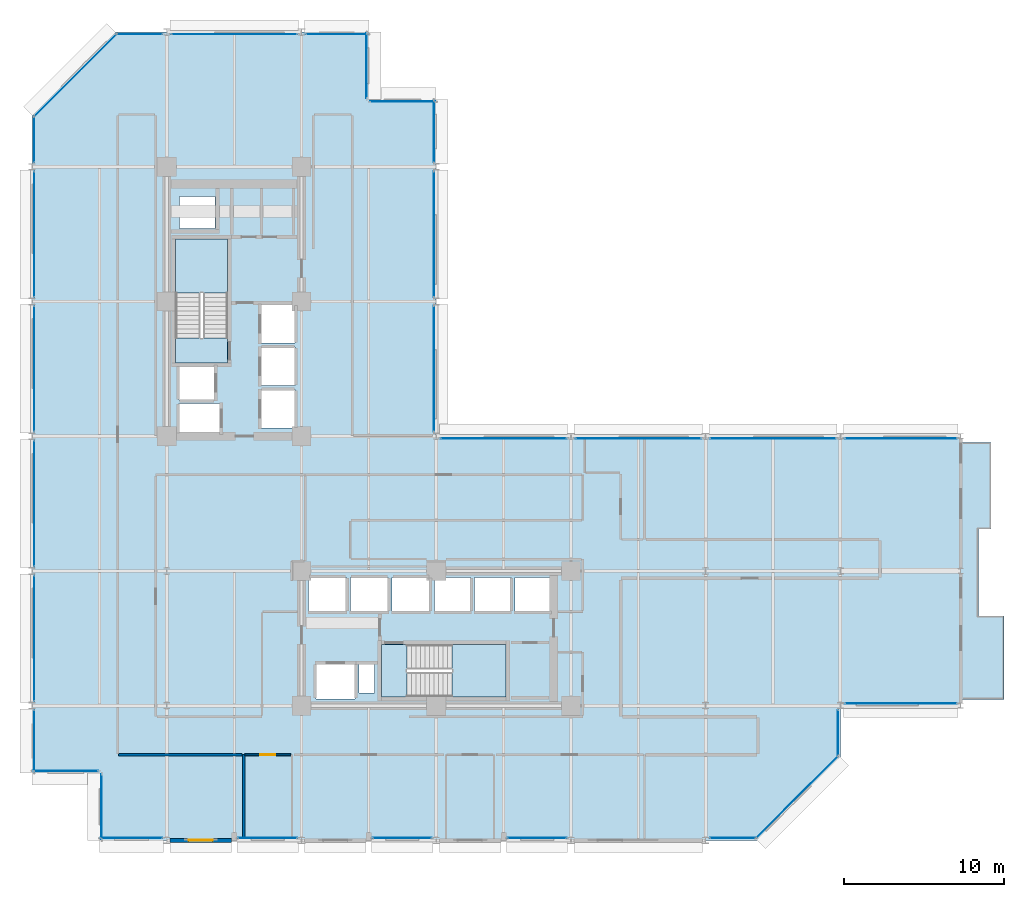
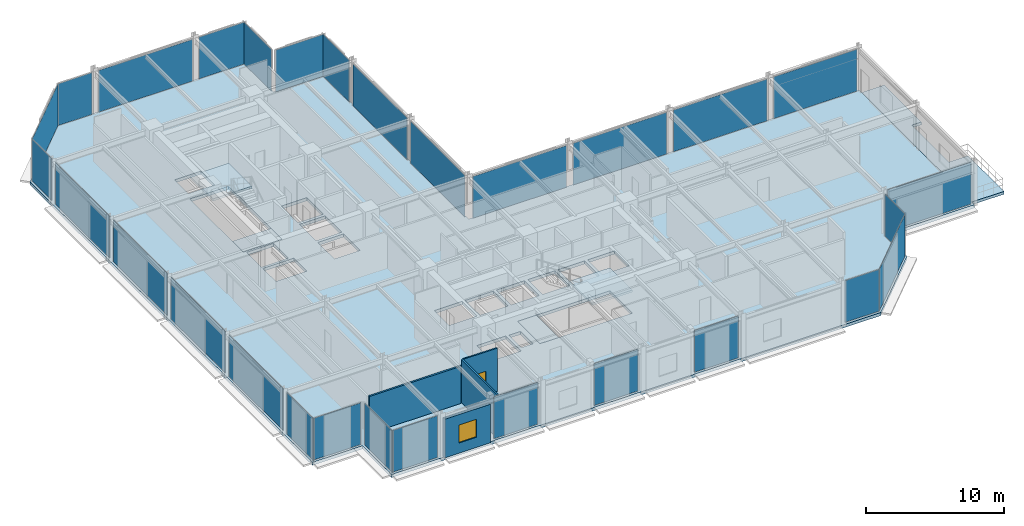
# One storey, part 31 of 39: 29 plates, 6 slabs, 4 walls, 1 door, 1 window, 2 openings, 31 elements without a shape of their own.
"""IFC4 building model written with IfcOpenShell, lengths in metres."""

from ifc_helpers import new_model, si_unit, direction, frame, frame_2d, origin, origin_2d, place, context, subcontext, project, spatial, polyline, rectangle, outline, extrude, material, layer, layer_set, type_object, element, fill, aggregate, save


model = new_model("IFC4")

# Units and contexts
model_context = context("Model", 3, precision=1e-05, world=origin(), true_north=direction((0.0, 1.0)))
body_context = subcontext(model_context, "Body", "Model", "MODEL_VIEW")
ifc_project = project(units=[si_unit("LENGTHUNIT", "METRE"), si_unit("AREAUNIT", "SQUARE_METRE"), si_unit("VOLUMEUNIT", "CUBIC_METRE"), si_unit("PLANEANGLEUNIT", "RADIAN"), si_unit("MASSUNIT", "GRAM", prefix="KILO")], contexts=[model_context])

# Site, building, storey
site_placement = place(None, origin())
site = spatial("IfcSite", under=ifc_project, at=site_placement, CompositionType="ELEMENT")
building_placement = place(site_placement, origin())
building = spatial("IfcBuilding", under=site, at=building_placement, Name="Nerrivon Quay Data Exchange", CompositionType="ELEMENT")
storey_placement = place(building_placement, frame((0.0, 0.0, 92.60009765625)))
storey = spatial("IfcBuildingStorey", under=building, at=storey_placement, Name="L21", CompositionType="ELEMENT", Elevation=92.60009765625)

# Curtain wall, plate
ifc_material_1 = material(Name="Anodised aluminium 6063-T6", Category="aluminium")
ifc_layer_1 = layer(ifc_material_1, 0.199951171875)
ifc_layer_set_1 = layer_set([ifc_layer_1], Name="Anodised aluminium 6063-T6")
curtain_wall_type_1 = type_object("IfcCurtainWallType", Name="CW-SYS-04", PredefinedType="NOTDEFINED", material=ifc_layer_set_1)
curtain_wall_1_placement = place(storey_placement, origin())
curtain_wall_1 = element("IfcCurtainWall", 1, at=curtain_wall_1_placement, inside=storey, type_object=curtain_wall_type_1, Name="L21 Unitised Curtain Wall 3", PredefinedType="NOTDEFINED")
ifc_material_2 = material(Name="Double-glazed low-E solar control glass", Category="glass")
ifc_layer_2 = layer(ifc_material_2, 0.028076171875)
ifc_layer_set_2 = layer_set([ifc_layer_2], Name="Double-glazed low-E solar control glass")
plate_type = type_object("IfcPlateType", Name="CWP-GLZ-28", PredefinedType="CURTAIN_PANEL", material=ifc_layer_set_2)
plate_1_placement = place(storey_placement, frame((54.17236328125, 8.5400390625, 0.06494140625), z_axis=(0.0, 0.0, 1.0), x_axis=(-1.0, 0.0, 0.0)))
plate_1 = element("IfcPlate", 2, at=plate_1_placement, type_object=plate_type, Name="CW04 panel 1.1", PredefinedType="CURTAIN_PANEL", context=body_context, shape_type="SweptSolid", body=[
    extrude(rectangle(XDim=6.994384765625, YDim=0.028076171875, at=origin_2d()), origin(), (0.0, 0.0, 1.0), 3.695068359375),
])
aggregate(curtain_wall_1, [plate_1])

ifc_layer_3 = layer(ifc_material_1, 0.2099609375)
ifc_layer_set_3 = layer_set([ifc_layer_3], Name="Anodised aluminium 6063-T6")
curtain_wall_type_2 = type_object("IfcCurtainWallType", Name="CW-SYS-02", PredefinedType="NOTDEFINED", material=ifc_layer_set_3)
curtain_wall_2_placement = place(storey_placement, origin())
curtain_wall_2 = element("IfcCurtainWall", 3, at=curtain_wall_2_placement, inside=storey, type_object=curtain_wall_type_2, Name="L21 Unitised Curtain Wall 4", PredefinedType="NOTDEFINED")
plate_2_placement = place(storey_placement, frame((50.260009765625, 6.699951171875, 0.06494140625), z_axis=(0.0, 0.0, 1.0), x_axis=(0.0, -1.0, 0.0)))
plate_2 = element("IfcPlate", 4, at=plate_2_placement, type_object=plate_type, Name="CW02 panel 1.1", PredefinedType="CURTAIN_PANEL", context=body_context, shape_type="SweptSolid", body=[
    extrude(rectangle(XDim=2.85009765625, YDim=0.028076171875, at=origin_2d()), origin(), (0.0, 0.0, 1.0), 3.695068359375),
])
aggregate(curtain_wall_2, [plate_2])

curtain_wall_3_placement = place(storey_placement, origin())
curtain_wall_3 = element("IfcCurtainWall", 5, at=curtain_wall_3_placement, inside=storey, type_object=curtain_wall_type_2, Name="L21 Unitised Curtain Wall 5", PredefinedType="NOTDEFINED")
plate_3_placement = place(storey_placement, frame((47.700927734375, 2.698974609375, 0.06494140625), z_axis=(0.0, 0.0, 1.0), x_axis=(-0.707106781187, -0.707106781187, 0.0)))
plate_3 = element("IfcPlate", 6, at=plate_3_placement, type_object=plate_type, Name="CW02 panel 1.1", PredefinedType="CURTAIN_PANEL", context=body_context, shape_type="SweptSolid", body=[
    extrude(rectangle(XDim=7.203857421875, YDim=0.028076171875, at=origin_2d()), origin(), (0.0, 0.0, 1.0), 3.695068359375),
])
aggregate(curtain_wall_3, [plate_3])

curtain_wall_4_placement = place(storey_placement, origin())
curtain_wall_4 = element("IfcCurtainWall", 7, at=curtain_wall_4_placement, inside=storey, type_object=curtain_wall_type_2, Name="L21 Unitised Curtain Wall 6", PredefinedType="NOTDEFINED")
plate_4_placement = place(storey_placement, frame((43.699951171875, 0.139892578125, 0.06494140625), z_axis=(0.0, 0.0, 1.0), x_axis=(-1.0, 0.0, 0.0)))
plate_4 = element("IfcPlate", 8, at=plate_4_placement, type_object=plate_type, Name="CW02 panel 1.1", PredefinedType="CURTAIN_PANEL", context=body_context, shape_type="SweptSolid", body=[
    extrude(rectangle(XDim=2.85009765625, YDim=0.028076171875, at=origin_2d()), origin(), (0.0, 0.0, 1.0), 3.695068359375),
])
aggregate(curtain_wall_4, [plate_4])

curtain_wall_5_placement = place(storey_placement, origin())
curtain_wall_5 = element("IfcCurtainWall", 9, at=curtain_wall_5_placement, inside=storey, type_object=curtain_wall_type_2, Name="L21 Unitised Curtain Wall 8", PredefinedType="NOTDEFINED")
plate_5_placement = place(storey_placement, frame((31.487548828125, 0.139892578125, 0.06494140625), z_axis=(0.0, 0.0, 1.0), x_axis=(-1.0, 0.0, 0.0)))
plate_5 = element("IfcPlate", 10, at=plate_5_placement, type_object=plate_type, Name="CW02 panel 1.1", PredefinedType="CURTAIN_PANEL", context=body_context, shape_type="SweptSolid", body=[
    extrude(rectangle(XDim=3.675048828125, YDim=0.028076171875, at=origin_2d()), origin(), (0.0, 0.0, 1.0), 3.695068359375),
])
aggregate(curtain_wall_5, [plate_5])

curtain_wall_6_placement = place(storey_placement, origin())
curtain_wall_6 = element("IfcCurtainWall", 11, at=curtain_wall_6_placement, inside=storey, type_object=curtain_wall_type_2, Name="L21 Unitised Curtain Wall 10", PredefinedType="NOTDEFINED")
plate_6_placement = place(storey_placement, frame((23.08740234375, 0.139892578125, 0.06494140625), z_axis=(0.0, 0.0, 1.0), x_axis=(-1.0, 0.0, 0.0)))
plate_6 = element("IfcPlate", 12, at=plate_6_placement, type_object=plate_type, Name="CW02 panel 1.1", PredefinedType="CURTAIN_PANEL", context=body_context, shape_type="SweptSolid", body=[
    extrude(rectangle(XDim=3.675048828125, YDim=0.028076171875, at=origin_2d()), origin(), (0.0, 0.0, 1.0), 3.695068359375),
])
aggregate(curtain_wall_6, [plate_6])

curtain_wall_7_placement = place(storey_placement, origin())
curtain_wall_7 = element("IfcCurtainWall", 13, at=curtain_wall_7_placement, inside=storey, type_object=curtain_wall_type_2, Name="L21 Unitised Curtain Wall 12", PredefinedType="NOTDEFINED")
plate_7_placement = place(storey_placement, frame((14.6875, 0.139892578125, 0.06494140625), z_axis=(0.0, 0.0, 1.0), x_axis=(-1.0, 0.0, 0.0)))
plate_7 = element("IfcPlate", 14, at=plate_7_placement, type_object=plate_type, Name="CW02 panel 1.1", PredefinedType="CURTAIN_PANEL", context=body_context, shape_type="SweptSolid", body=[
    extrude(rectangle(XDim=3.675048828125, YDim=0.028076171875, at=origin_2d()), origin(), (0.0, 0.0, 1.0), 3.695068359375),
])
aggregate(curtain_wall_7, [plate_7])

curtain_wall_8_placement = place(storey_placement, origin())
curtain_wall_8 = element("IfcCurtainWall", 15, at=curtain_wall_8_placement, inside=storey, type_object=curtain_wall_type_2, Name="L21 Unitised Curtain Wall 14", PredefinedType="NOTDEFINED")
plate_8_placement = place(storey_placement, frame((6.199951171875, 0.139892578125, 0.06494140625), z_axis=(0.0, 0.0, 1.0), x_axis=(-1.0, 0.0, 0.0)))
plate_8 = element("IfcPlate", 16, at=plate_8_placement, type_object=plate_type, Name="CW02 panel 1.1", PredefinedType="CURTAIN_PANEL", context=body_context, shape_type="SweptSolid", body=[
    extrude(rectangle(XDim=3.85009765625, YDim=0.028076171875, at=origin_2d()), origin(), (0.0, 0.0, 1.0), 3.695068359375),
])
aggregate(curtain_wall_8, [plate_8])

curtain_wall_9_placement = place(storey_placement, origin())
curtain_wall_9 = element("IfcCurtainWall", 17, at=curtain_wall_9_placement, inside=storey, type_object=curtain_wall_type_2, Name="L21 Unitised Curtain Wall 15", PredefinedType="NOTDEFINED")
plate_9_placement = place(storey_placement, frame((4.340087890625, 2.10009765625, 0.06494140625), z_axis=(0.0, 0.0, 1.0), x_axis=(0.0, 1.0, 0.0)))
plate_9 = element("IfcPlate", 18, at=plate_9_placement, type_object=plate_type, Name="CW02 panel 1.1", PredefinedType="CURTAIN_PANEL", context=body_context, shape_type="SweptSolid", body=[
    extrude(rectangle(XDim=4.050048828125, YDim=0.028076171875, at=origin_2d()), origin(), (0.0, 0.0, 1.0), 3.695068359375),
])
aggregate(curtain_wall_9, [plate_9])

curtain_wall_10_placement = place(storey_placement, origin())
curtain_wall_10 = element("IfcCurtainWall", 19, at=curtain_wall_10_placement, inside=storey, type_object=curtain_wall_type_2, Name="L21 Unitised Curtain Wall 16", PredefinedType="NOTDEFINED")
plate_10_placement = place(storey_placement, frame((2.10009765625, 4.340087890625, 0.06494140625), z_axis=(0.0, 0.0, 1.0), x_axis=(-1.0, 0.0, 0.0)))
plate_10 = element("IfcPlate", 20, at=plate_10_placement, type_object=plate_type, Name="CW02 panel 1.1", PredefinedType="CURTAIN_PANEL", context=body_context, shape_type="SweptSolid", body=[
    extrude(rectangle(XDim=4.050048828125, YDim=0.028076171875, at=origin_2d()), origin(), (0.0, 0.0, 1.0), 3.695068359375),
])
aggregate(curtain_wall_10, [plate_10])

curtain_wall_11_placement = place(storey_placement, origin())
curtain_wall_11 = element("IfcCurtainWall", 21, at=curtain_wall_11_placement, inside=storey, type_object=curtain_wall_type_2, Name="L21 Unitised Curtain Wall 17", PredefinedType="NOTDEFINED")
plate_11_placement = place(storey_placement, frame((0.139892578125, 6.199951171875, 0.06494140625), z_axis=(0.0, 0.0, 1.0), x_axis=(0.0, 1.0, 0.0)))
plate_11 = element("IfcPlate", 22, at=plate_11_placement, type_object=plate_type, Name="CW02 panel 1.1", PredefinedType="CURTAIN_PANEL", context=body_context, shape_type="SweptSolid", body=[
    extrude(rectangle(XDim=3.85009765625, YDim=0.028076171875, at=origin_2d()), origin(), (0.0, 0.0, 1.0), 3.695068359375),
])
aggregate(curtain_wall_11, [plate_11])

curtain_wall_12_placement = place(storey_placement, origin())
curtain_wall_12 = element("IfcCurtainWall", 23, at=curtain_wall_12_placement, inside=storey, type_object=curtain_wall_type_2, Name="L21 Unitised Curtain Wall 18", PredefinedType="NOTDEFINED")
plate_12_placement = place(storey_placement, frame((0.139892578125, 12.60009765625, 0.06494140625), z_axis=(0.0, 0.0, 1.0), x_axis=(0.0, 1.0, 0.0)))
plate_12 = element("IfcPlate", 24, at=plate_12_placement, type_object=plate_type, Name="CW02 panel 1.1", PredefinedType="CURTAIN_PANEL", context=body_context, shape_type="SweptSolid", body=[
    extrude(rectangle(XDim=7.85009765625, YDim=0.028076171875, at=origin_2d()), origin(), (0.0, 0.0, 1.0), 3.695068359375),
])
aggregate(curtain_wall_12, [plate_12])

curtain_wall_13_placement = place(storey_placement, origin())
curtain_wall_13 = element("IfcCurtainWall", 25, at=curtain_wall_13_placement, inside=storey, type_object=curtain_wall_type_2, Name="L21 Unitised Curtain Wall 19", PredefinedType="NOTDEFINED")
plate_13_placement = place(storey_placement, frame((0.139892578125, 21.0, 0.06494140625), z_axis=(0.0, 0.0, 1.0), x_axis=(0.0, 1.0, 0.0)))
plate_13 = element("IfcPlate", 26, at=plate_13_placement, type_object=plate_type, Name="CW02 panel 1.1", PredefinedType="CURTAIN_PANEL", context=body_context, shape_type="SweptSolid", body=[
    extrude(rectangle(XDim=7.85009765625, YDim=0.028076171875, at=origin_2d()), origin(), (0.0, 0.0, 1.0), 3.695068359375),
])
aggregate(curtain_wall_13, [plate_13])

curtain_wall_14_placement = place(storey_placement, origin())
curtain_wall_14 = element("IfcCurtainWall", 27, at=curtain_wall_14_placement, inside=storey, type_object=curtain_wall_type_2, Name="L21 Unitised Curtain Wall 20", PredefinedType="NOTDEFINED")
plate_14_placement = place(storey_placement, frame((0.139892578125, 29.39990234375, 0.06494140625), z_axis=(0.0, 0.0, 1.0), x_axis=(0.0, 1.0, 0.0)))
plate_14 = element("IfcPlate", 28, at=plate_14_placement, type_object=plate_type, Name="CW02 panel 1.1", PredefinedType="CURTAIN_PANEL", context=body_context, shape_type="SweptSolid", body=[
    extrude(rectangle(XDim=7.85009765625, YDim=0.028076171875, at=origin_2d()), origin(), (0.0, 0.0, 1.0), 3.695068359375),
])
aggregate(curtain_wall_14, [plate_14])

curtain_wall_15_placement = place(storey_placement, origin())
curtain_wall_15 = element("IfcCurtainWall", 29, at=curtain_wall_15_placement, inside=storey, type_object=curtain_wall_type_2, Name="L21 Unitised Curtain Wall 21", PredefinedType="NOTDEFINED")
plate_15_placement = place(storey_placement, frame((0.139892578125, 37.800048828125, 0.06494140625), z_axis=(0.0, 0.0, 1.0), x_axis=(0.0, 1.0, 0.0)))
plate_15 = element("IfcPlate", 30, at=plate_15_placement, type_object=plate_type, Name="CW02 panel 1.1", PredefinedType="CURTAIN_PANEL", context=body_context, shape_type="SweptSolid", body=[
    extrude(rectangle(XDim=7.85009765625, YDim=0.028076171875, at=origin_2d()), origin(), (0.0, 0.0, 1.0), 3.695068359375),
])
aggregate(curtain_wall_15, [plate_15])

curtain_wall_16_placement = place(storey_placement, origin())
curtain_wall_16 = element("IfcCurtainWall", 31, at=curtain_wall_16_placement, inside=storey, type_object=curtain_wall_type_2, Name="L21 Unitised Curtain Wall 22", PredefinedType="NOTDEFINED")
plate_16_placement = place(storey_placement, frame((0.139892578125, 43.699951171875, 0.06494140625), z_axis=(0.0, 0.0, 1.0), x_axis=(0.0, 1.0, 0.0)))
plate_16 = element("IfcPlate", 32, at=plate_16_placement, type_object=plate_type, Name="CW02 panel 1.1", PredefinedType="CURTAIN_PANEL", context=body_context, shape_type="SweptSolid", body=[
    extrude(rectangle(XDim=2.85009765625, YDim=0.028076171875, at=origin_2d()), origin(), (0.0, 0.0, 1.0), 3.695068359375),
])
aggregate(curtain_wall_16, [plate_16])

curtain_wall_17_placement = place(storey_placement, origin())
curtain_wall_17 = element("IfcCurtainWall", 33, at=curtain_wall_17_placement, inside=storey, type_object=curtain_wall_type_2, Name="L21 Unitised Curtain Wall 23", PredefinedType="NOTDEFINED")
plate_17_placement = place(storey_placement, frame((2.698974609375, 47.700927734375, 0.06494140625), z_axis=(0.0, 0.0, 1.0), x_axis=(0.707106781187, 0.707106781187, 0.0)))
plate_17 = element("IfcPlate", 34, at=plate_17_placement, type_object=plate_type, Name="CW02 panel 1.1", PredefinedType="CURTAIN_PANEL", context=body_context, shape_type="SweptSolid", body=[
    extrude(rectangle(XDim=7.203857421875, YDim=0.028076171875, at=origin_2d()), origin(), (0.0, 0.0, 1.0), 3.695068359375),
])
aggregate(curtain_wall_17, [plate_17])

curtain_wall_18_placement = place(storey_placement, origin())
curtain_wall_18 = element("IfcCurtainWall", 35, at=curtain_wall_18_placement, inside=storey, type_object=curtain_wall_type_2, Name="L21 Unitised Curtain Wall 24", PredefinedType="NOTDEFINED")
plate_18_placement = place(storey_placement, frame((6.699951171875, 50.260009765625, 0.06494140625), z_axis=(0.0, 0.0, 1.0), x_axis=(1.0, 0.0, 0.0)))
plate_18 = element("IfcPlate", 36, at=plate_18_placement, type_object=plate_type, Name="CW02 panel 1.1", PredefinedType="CURTAIN_PANEL", context=body_context, shape_type="SweptSolid", body=[
    extrude(rectangle(XDim=2.85009765625, YDim=0.028076171875, at=origin_2d()), origin(), (0.0, 0.0, 1.0), 3.695068359375),
])
aggregate(curtain_wall_18, [plate_18])

curtain_wall_19_placement = place(storey_placement, origin())
curtain_wall_19 = element("IfcCurtainWall", 37, at=curtain_wall_19_placement, inside=storey, type_object=curtain_wall_type_2, Name="L21 Unitised Curtain Wall 25", PredefinedType="NOTDEFINED")
plate_19_placement = place(storey_placement, frame((12.60009765625, 50.260009765625, 0.06494140625), z_axis=(0.0, 0.0, 1.0), x_axis=(1.0, 0.0, 0.0)))
plate_19 = element("IfcPlate", 38, at=plate_19_placement, type_object=plate_type, Name="CW02 panel 1.1", PredefinedType="CURTAIN_PANEL", context=body_context, shape_type="SweptSolid", body=[
    extrude(rectangle(XDim=7.85009765625, YDim=0.028076171875, at=origin_2d()), origin(), (0.0, 0.0, 1.0), 3.695068359375),
])
aggregate(curtain_wall_19, [plate_19])

curtain_wall_20_placement = place(storey_placement, origin())
curtain_wall_20 = element("IfcCurtainWall", 39, at=curtain_wall_20_placement, inside=storey, type_object=curtain_wall_type_2, Name="L21 Unitised Curtain Wall 26", PredefinedType="NOTDEFINED")
plate_20_placement = place(storey_placement, frame((19.0, 50.260009765625, 0.06494140625), z_axis=(0.0, 0.0, 1.0), x_axis=(1.0, 0.0, 0.0)))
plate_20 = element("IfcPlate", 40, at=plate_20_placement, type_object=plate_type, Name="CW02 panel 1.1", PredefinedType="CURTAIN_PANEL", context=body_context, shape_type="SweptSolid", body=[
    extrude(rectangle(XDim=3.85009765625, YDim=0.028076171875, at=origin_2d()), origin(), (0.0, 0.0, 1.0), 3.695068359375),
])
aggregate(curtain_wall_20, [plate_20])

curtain_wall_21_placement = place(storey_placement, origin())
curtain_wall_21 = element("IfcCurtainWall", 41, at=curtain_wall_21_placement, inside=storey, type_object=curtain_wall_type_2, Name="L21 Unitised Curtain Wall 27", PredefinedType="NOTDEFINED")
plate_21_placement = place(storey_placement, frame((20.860107421875, 48.300048828125, 0.06494140625), z_axis=(0.0, 0.0, 1.0), x_axis=(0.0, -1.0, 0.0)))
plate_21 = element("IfcPlate", 42, at=plate_21_placement, type_object=plate_type, Name="CW02 panel 1.1", PredefinedType="CURTAIN_PANEL", context=body_context, shape_type="SweptSolid", body=[
    extrude(rectangle(XDim=4.050048828125, YDim=0.028076171875, at=origin_2d()), origin(), (0.0, 0.0, 1.0), 3.695068359375),
])
aggregate(curtain_wall_21, [plate_21])

curtain_wall_22_placement = place(storey_placement, origin())
curtain_wall_22 = element("IfcCurtainWall", 43, at=curtain_wall_22_placement, inside=storey, type_object=curtain_wall_type_2, Name="L21 Unitised Curtain Wall 28", PredefinedType="NOTDEFINED")
plate_22_placement = place(storey_placement, frame((23.10009765625, 46.06005859375, 0.06494140625), z_axis=(0.0, 0.0, 1.0), x_axis=(1.0, 0.0, 0.0)))
plate_22 = element("IfcPlate", 44, at=plate_22_placement, type_object=plate_type, Name="CW02 panel 1.1", PredefinedType="CURTAIN_PANEL", context=body_context, shape_type="SweptSolid", body=[
    extrude(rectangle(XDim=4.050048828125, YDim=0.028076171875, at=origin_2d()), origin(), (0.0, 0.0, 1.0), 3.695068359375),
])
aggregate(curtain_wall_22, [plate_22])

curtain_wall_23_placement = place(storey_placement, origin())
curtain_wall_23 = element("IfcCurtainWall", 45, at=curtain_wall_23_placement, inside=storey, type_object=curtain_wall_type_2, Name="L21 Unitised Curtain Wall 29", PredefinedType="NOTDEFINED")
plate_23_placement = place(storey_placement, frame((25.06005859375, 44.199951171875, 0.06494140625), z_axis=(0.0, 0.0, 1.0), x_axis=(0.0, -1.0, 0.0)))
plate_23 = element("IfcPlate", 46, at=plate_23_placement, type_object=plate_type, Name="CW02 panel 1.1", PredefinedType="CURTAIN_PANEL", context=body_context, shape_type="SweptSolid", body=[
    extrude(rectangle(XDim=3.85009765625, YDim=0.028076171875, at=origin_2d()), origin(), (0.0, 0.0, 1.0), 3.695068359375),
])
aggregate(curtain_wall_23, [plate_23])

curtain_wall_24_placement = place(storey_placement, origin())
curtain_wall_24 = element("IfcCurtainWall", 47, at=curtain_wall_24_placement, inside=storey, type_object=curtain_wall_type_2, Name="L21 Unitised Curtain Wall 30", PredefinedType="NOTDEFINED")
plate_24_placement = place(storey_placement, frame((25.06005859375, 37.800048828125, 0.06494140625), z_axis=(0.0, 0.0, 1.0), x_axis=(0.0, -1.0, 0.0)))
plate_24 = element("IfcPlate", 48, at=plate_24_placement, type_object=plate_type, Name="CW02 panel 1.1", PredefinedType="CURTAIN_PANEL", context=body_context, shape_type="SweptSolid", body=[
    extrude(rectangle(XDim=7.85009765625, YDim=0.028076171875, at=origin_2d()), origin(), (0.0, 0.0, 1.0), 3.695068359375),
])
aggregate(curtain_wall_24, [plate_24])

curtain_wall_25_placement = place(storey_placement, origin())
curtain_wall_25 = element("IfcCurtainWall", 49, at=curtain_wall_25_placement, inside=storey, type_object=curtain_wall_type_2, Name="L21 Unitised Curtain Wall 31", PredefinedType="NOTDEFINED")
plate_25_placement = place(storey_placement, frame((25.06005859375, 29.39990234375, 0.06494140625), z_axis=(0.0, 0.0, 1.0), x_axis=(0.0, -1.0, 0.0)))
plate_25 = element("IfcPlate", 50, at=plate_25_placement, type_object=plate_type, Name="CW02 panel 1.1", PredefinedType="CURTAIN_PANEL", context=body_context, shape_type="SweptSolid", body=[
    extrude(rectangle(XDim=7.85009765625, YDim=0.028076171875, at=origin_2d()), origin(), (0.0, 0.0, 1.0), 3.695068359375),
])
aggregate(curtain_wall_25, [plate_25])

curtain_wall_26_placement = place(storey_placement, origin())
curtain_wall_26 = element("IfcCurtainWall", 51, at=curtain_wall_26_placement, inside=storey, type_object=curtain_wall_type_2, Name="L21 Unitised Curtain Wall 32", PredefinedType="NOTDEFINED")
plate_26_placement = place(storey_placement, frame((29.39990234375, 25.06005859375, 0.06494140625), z_axis=(0.0, 0.0, 1.0), x_axis=(1.0, 0.0, 0.0)))
plate_26 = element("IfcPlate", 52, at=plate_26_placement, type_object=plate_type, Name="CW02 panel 1.1", PredefinedType="CURTAIN_PANEL", context=body_context, shape_type="SweptSolid", body=[
    extrude(rectangle(XDim=7.85009765625, YDim=0.028076171875, at=origin_2d()), origin(), (0.0, 0.0, 1.0), 3.695068359375),
])
aggregate(curtain_wall_26, [plate_26])

curtain_wall_27_placement = place(storey_placement, origin())
curtain_wall_27 = element("IfcCurtainWall", 53, at=curtain_wall_27_placement, inside=storey, type_object=curtain_wall_type_2, Name="L21 Unitised Curtain Wall 33", PredefinedType="NOTDEFINED")
plate_27_placement = place(storey_placement, frame((37.800048828125, 25.06005859375, 0.06494140625), z_axis=(0.0, 0.0, 1.0), x_axis=(1.0, 0.0, 0.0)))
plate_27 = element("IfcPlate", 54, at=plate_27_placement, type_object=plate_type, Name="CW02 panel 1.1", PredefinedType="CURTAIN_PANEL", context=body_context, shape_type="SweptSolid", body=[
    extrude(rectangle(XDim=7.85009765625, YDim=0.028076171875, at=origin_2d()), origin(), (0.0, 0.0, 1.0), 3.695068359375),
])
aggregate(curtain_wall_27, [plate_27])

curtain_wall_28_placement = place(storey_placement, origin())
curtain_wall_28 = element("IfcCurtainWall", 55, at=curtain_wall_28_placement, inside=storey, type_object=curtain_wall_type_2, Name="L21 Unitised Curtain Wall 34", PredefinedType="NOTDEFINED")
plate_28_placement = place(storey_placement, frame((46.199951171875, 25.06005859375, 0.06494140625), z_axis=(0.0, 0.0, 1.0), x_axis=(1.0, 0.0, 0.0)))
plate_28 = element("IfcPlate", 56, at=plate_28_placement, type_object=plate_type, Name="CW02 panel 1.1", PredefinedType="CURTAIN_PANEL", context=body_context, shape_type="SweptSolid", body=[
    extrude(rectangle(XDim=7.85009765625, YDim=0.028076171875, at=origin_2d()), origin(), (0.0, 0.0, 1.0), 3.695068359375),
])
aggregate(curtain_wall_28, [plate_28])

curtain_wall_29_placement = place(storey_placement, origin())
curtain_wall_29 = element("IfcCurtainWall", 57, at=curtain_wall_29_placement, inside=storey, type_object=curtain_wall_type_1, Name="L21 Unitised Curtain Wall 35", PredefinedType="NOTDEFINED")
plate_29_placement = place(storey_placement, frame((54.17236328125, 25.06005859375, 0.06494140625), z_axis=(0.0, 0.0, 1.0), x_axis=(1.0, 0.0, 0.0)))
plate_29 = element("IfcPlate", 58, at=plate_29_placement, type_object=plate_type, Name="CW04 panel 1.1", PredefinedType="CURTAIN_PANEL", context=body_context, shape_type="SweptSolid", body=[
    extrude(rectangle(XDim=6.994384765625, YDim=0.028076171875, at=origin_2d()), origin(), (0.0, 0.0, 1.0), 3.695068359375),
])
aggregate(curtain_wall_29, [plate_29])

# Slab
ifc_material_3 = material(Name="Precast white architectural concrete N50 (50 MPa)", Category="concrete")
ifc_layer_4 = layer(ifc_material_3, 0.25)
ifc_layer_set_4 = layer_set([ifc_layer_4], Name="Precast white architectural concrete N50 (50 MPa)")
slab_type_1 = type_object("IfcSlabType", Name="SLB-BAL-250", PredefinedType="FLOOR", material=ifc_layer_set_4)
slab_1_placement = place(storey_placement, frame((0.0, 0.0, -0.25)))
element("IfcSlab", 59, at=slab_1_placement, inside=storey, type_object=slab_type_1, Name="L21 East Hooked Drifting Verandah", PredefinedType="FLOOR", context=body_context, shape_type="SweptSolid", body=[
    extrude(outline(polyline([(59.0, 14.0), (59.0, 19.39990234375), (59.800048828125, 19.39990234375), (59.800048828125, 24.800048828125), (57.89990234375, 24.800048828125), (57.89990234375, 19.39990234375), (57.89990234375, 14.0), (57.89990234375, 8.800048828125), (60.60009765625, 8.800048828125), (60.60009765625, 14.0), (59.0, 14.0)])), origin(), (0.0, 0.0, 1.0), 0.25),
])

# Stair, slab
ifc_material_4 = material(Name="Concrete N50 (50 MPa)", Category="concrete")
stair_type = type_object("IfcStairType", Name="STAIR-DOG-41", PredefinedType="HALF_TURN_STAIR", material=ifc_material_4)
stair_1_placement = place(storey_placement, origin())
stair_1 = element("IfcStair", 60, at=stair_1_placement, inside=storey, type_object=stair_type, Name="L21 West Core Fire Stair ST01", PredefinedType="HALF_TURN_STAIR")
ifc_layer_5 = layer(ifc_material_4, 0.199951171875)
ifc_layer_set_5 = layer_set([ifc_layer_5], Name="Concrete N50 (50 MPa)")
slab_type_2 = type_object("IfcSlabType", Name="SLB-LAND-200", PredefinedType="LANDING", material=ifc_layer_set_5)
slab_2_placement = place(storey_placement, frame((0.0, 0.0, 1.849853515625)))
slab_2 = element("IfcSlab", 61, at=slab_2_placement, type_object=slab_type_2, Name="ST01 landing 1", PredefinedType="LANDING", context=body_context, shape_type="SweptSolid", body=[
    extrude(outline(polyline([(12.199951171875, 34.1298828125), (12.199951171875, 37.5), (8.949951171875, 37.5), (8.949951171875, 34.1298828125), (12.199951171875, 34.1298828125)])), origin(), (0.0, 0.0, 1.0), 0.199951171875),
])
aggregate(stair_1, [slab_2])

# Slab
slab_3_placement = place(storey_placement, frame((0.0, 0.0, -0.2001953125)))
element("IfcSlab", 62, at=slab_3_placement, inside=storey, type_object=slab_type_2, Name="L21 ST01 floor landing", PredefinedType="LANDING", context=body_context, shape_type="SweptSolid", body=[
    extrude(outline(polyline([(12.199951171875, 29.75), (12.199951171875, 31.330078125), (8.949951171875, 31.330078125), (8.949951171875, 29.75), (12.199951171875, 29.75)])), origin(), (0.0, 0.0, 1.0), 0.2001953125),
])

# Stair, slab
stair_2_placement = place(storey_placement, origin())
stair_2 = element("IfcStair", 63, at=stair_2_placement, inside=storey, type_object=stair_type, Name="L21 East Core Fire Stair ST02", PredefinedType="HALF_TURN_STAIR")
slab_4_placement = place(storey_placement, frame((0.0, 0.0, 1.849853515625)))
slab_4 = element("IfcSlab", 64, at=slab_4_placement, type_object=slab_type_2, Name="ST02 landing 1", PredefinedType="LANDING", context=body_context, shape_type="SweptSolid", body=[
    extrude(outline(polyline([(26.179931640625, 8.949951171875), (29.550048828125, 8.949951171875), (29.550048828125, 12.199951171875), (26.179931640625, 12.199951171875), (26.179931640625, 8.949951171875)])), origin(), (0.0, 0.0, 1.0), 0.199951171875),
])
aggregate(stair_2, [slab_4])

# Slabs
slab_5_placement = place(storey_placement, frame((0.0, 0.0, -0.2001953125)))
element("IfcSlab", 65, at=slab_5_placement, inside=storey, type_object=slab_type_2, Name="L21 ST02 floor landing", PredefinedType="LANDING", context=body_context, shape_type="SweptSolid", body=[
    extrude(outline(polyline([(21.800048828125, 8.949951171875), (23.3798828125, 8.949951171875), (23.3798828125, 12.199951171875), (21.800048828125, 12.199951171875), (21.800048828125, 8.949951171875)])), origin(), (0.0, 0.0, 1.0), 0.2001953125),
])
ifc_layer_6 = layer(ifc_material_4, 0.27490234375)
ifc_layer_set_6 = layer_set([ifc_layer_6], Name="Concrete N50 (50 MPa)")
slab_type_3 = type_object("IfcSlabType", Name="SLB-TOW-275", PredefinedType="FLOOR", material=ifc_layer_set_6)
slab_6_placement = place(storey_placement, frame((0.0, 0.0, -0.275146484375)))
element("IfcSlab", 66, at=slab_6_placement, inside=storey, type_object=slab_type_3, Name="L21 Primary Structural Slab", PredefinedType="FLOOR", context=body_context, shape_type="SweptSolid", body=[
    extrude(outline(polyline([(25.199951171875, 25.199951171875), (25.199951171875, 46.199951171875), (21.0, 46.199951171875), (21.0, 50.39990234375), (5.199951171875, 50.39990234375), (0.0, 45.199951171875), (0.0, 4.199951171875), (4.199951171875, 4.199951171875), (4.199951171875, 0.0), (45.199951171875, 0.0), (50.39990234375, 5.199951171875), (50.39990234375, 8.39990234375), (57.89990234375, 8.39990234375), (57.89990234375, 25.199951171875), (25.199951171875, 25.199951171875)]), holes=[polyline([(8.949951171875, 29.75), (8.949951171875, 37.5), (12.199951171875, 37.5), (12.199951171875, 29.75), (8.949951171875, 29.75)]), polyline([(21.800048828125, 12.199951171875), (29.550048828125, 12.199951171875), (29.550048828125, 8.949951171875), (21.800048828125, 8.949951171875), (21.800048828125, 12.199951171875)]), polyline([(30.10009765625, 16.39990234375), (32.35009765625, 16.39990234375), (32.35009765625, 14.25), (30.10009765625, 14.25), (30.10009765625, 16.39990234375)]), polyline([(27.60009765625, 16.39990234375), (29.85009765625, 16.39990234375), (29.85009765625, 14.25), (27.60009765625, 14.25), (27.60009765625, 16.39990234375)]), polyline([(25.10009765625, 16.39990234375), (27.35009765625, 16.39990234375), (27.35009765625, 14.25), (25.10009765625, 14.25), (25.10009765625, 16.39990234375)]), polyline([(22.449951171875, 16.39990234375), (24.800048828125, 16.39990234375), (24.800048828125, 14.25), (22.449951171875, 14.25), (22.449951171875, 16.39990234375)]), polyline([(19.85009765625, 16.39990234375), (22.199951171875, 16.39990234375), (22.199951171875, 14.25), (19.85009765625, 14.25), (19.85009765625, 16.39990234375)]), polyline([(20.39990234375, 11.0), (21.35009765625, 11.0), (21.35009765625, 9.199951171875), (20.39990234375, 9.199951171875), (20.39990234375, 11.0)]), polyline([(17.699951171875, 8.830078125), (17.699951171875, 11.030029296875), (20.14990234375, 11.030029296875), (20.14990234375, 8.830078125), (17.699951171875, 8.830078125)]), polyline([(17.25, 14.25), (17.25, 16.39990234375), (19.60009765625, 16.39990234375), (19.60009765625, 14.25), (17.25, 14.25)]), polyline([(14.25, 28.10009765625), (16.39990234375, 28.10009765625), (16.39990234375, 25.699951171875), (14.25, 25.699951171875), (14.25, 28.10009765625)]), polyline([(14.25, 30.75), (16.39990234375, 30.75), (16.39990234375, 28.35009765625), (14.25, 28.35009765625), (14.25, 30.75)]), polyline([(14.25, 33.39990234375), (16.39990234375, 33.39990234375), (16.39990234375, 31.0), (14.25, 31.0), (14.25, 33.39990234375)]), polyline([(9.14990234375, 27.25), (11.75, 27.25), (11.75, 25.35009765625), (9.14990234375, 25.35009765625), (9.14990234375, 27.25)]), polyline([(9.14990234375, 29.60009765625), (11.39990234375, 29.60009765625), (11.39990234375, 27.449951171875), (9.14990234375, 27.449951171875), (9.14990234375, 29.60009765625)]), polyline([(9.199951171875, 40.14990234375), (11.39990234375, 40.14990234375), (11.39990234375, 38.14990234375), (9.199951171875, 38.14990234375), (9.199951171875, 40.14990234375)])]), origin(), (0.0, 0.0, 1.0), 0.275146484375),
])

# Wall, opening, window
ifc_material_5 = material(Name="Architectural terracotta precast concrete N50 (50 MPa)", Category="masonry")
ifc_layer_7 = layer(ifc_material_5, 0.239990234375)
ifc_layer_set_7 = layer_set([ifc_layer_7], Name="Architectural terracotta precast concrete N50 (50 MPa)")
wall_type_1 = type_object("IfcWallType", Name="EW-PREC-240", PredefinedType="STANDARD", material=ifc_layer_set_7)
wall_1_placement = place(storey_placement, frame((12.425048828125, 0.0, 0.0), z_axis=(0.0, 0.0, 1.0), x_axis=(-1.0, 0.0, 0.0)))
wall_1 = element("IfcWall", 67, at=wall_1_placement, inside=storey, type_object=wall_type_1, Name="L21 Podium Precast Spandrel Wall 13", PredefinedType="STANDARD", context=body_context, shape_type="SweptSolid", body=[
    extrude(rectangle(XDim=3.824951171875, YDim=0.239990234375, at=frame_2d((1.91259765625, 0.0))), origin(), (0.0, 0.0, 1.0), 3.421875),
])
opening_1_placement = place(wall_1_placement, frame((1.16259765625, 0.0, 0.89990234375)))
opening_1 = element("IfcOpeningElement", 68, at=opening_1_placement, cuts=wall_1, Name="Opening WN4", PredefinedType="OPENING", context=body_context, shape_type="SweptSolid", body=[
    extrude(rectangle(XDim=1.5, YDim=1.60009765625, at=frame_2d((0.75, 0.800048828125))), frame((0.0, 0.1298828125, 0.0), z_axis=(0.0, -1.0, 0.0), x_axis=(1.0, 0.0, 0.0)), (0.0, 0.0, 1.0), 0.260009765625),
])
window_type = type_object("IfcWindowType", Name="WIN-W4-1500x1600", PartitioningType="SINGLE_PANEL", PredefinedType="WINDOW", material=ifc_material_2)
window_placement = place(opening_1_placement, origin())
window = element("IfcWindow", 69, at=window_placement, inside=storey, type_object=window_type, Name="L21 Solar Facade Window 13", OverallHeight=1.60009765625, OverallWidth=1.5, PartitioningType="SINGLE_PANEL", PredefinedType="WINDOW", context=body_context, shape_type="SweptSolid", body=[
    extrude(rectangle(XDim=1.5, YDim=1.60009765625, at=frame_2d((0.75, 0.800048828125))), frame((0.0, 0.030029296875, 0.0), z_axis=(0.0, -1.0, 0.0), x_axis=(1.0, 0.0, 0.0)), (0.0, 0.0, 1.0), 0.06005859375),
])
fill(opening_1, window)

# Wall, opening, door
ifc_material_6 = material(Name="Gypsum plasterboard on cold-formed framing", Category="gypsum")
ifc_layer_8 = layer(ifc_material_6, 0.1201171875)
ifc_layer_set_8 = layer_set([ifc_layer_8], Name="Gypsum plasterboard on cold-formed framing")
wall_type_2 = type_object("IfcWallType", Name="WALL-PT-120", PredefinedType="PARTITIONING", material=ifc_layer_set_8)
wall_2_placement = place(storey_placement, frame((16.12841796875, 5.340087890625, 0.0), z_axis=(0.0, 0.0, 1.0), x_axis=(-1.0, 0.0, 0.0)))
wall_2 = element("IfcWall", 70, at=wall_2_placement, inside=storey, type_object=wall_type_2, Name="L21 Partition Accessible Toilet", PredefinedType="PARTITIONING", context=body_context, shape_type="SweptSolid", body=[
    extrude(rectangle(XDim=2.85693359375, YDim=0.1201171875, at=frame_2d((1.428466796875, 0.0))), origin(), (0.0, 0.0, 1.0), 3.824951171875),
])
opening_2_placement = place(wall_2_placement, frame((0.968505859375, 0.0, 0.0)))
opening_2 = element("IfcOpeningElement", 71, at=opening_2_placement, cuts=wall_2, Name="Opening D-WC", PredefinedType="OPENING", context=body_context, shape_type="SweptSolid", body=[
    extrude(rectangle(XDim=0.919921875, YDim=2.10009765625, at=frame_2d((0.4599609375, 1.050048828125))), frame((0.0, 0.070068359375, 0.0), z_axis=(0.0, -1.0, 0.0), x_axis=(1.0, 0.0, 0.0)), (0.0, 0.0, 1.0), 0.14013671875),
])
ifc_material_7 = material(Name="Engineered hardwood timber", Category="wood")
door_type = type_object("IfcDoorType", Name="DR-WC-920", OperationType="NOTDEFINED", PredefinedType="DOOR", material=ifc_material_7)
door_placement = place(opening_2_placement, origin())
door = element("IfcDoor", 72, at=door_placement, inside=storey, type_object=door_type, Name="L21 Door Accessible Toilet", OperationType="SINGLE_SWING_LEFT", OverallHeight=2.10009765625, OverallWidth=0.919921875, PredefinedType="DOOR", context=body_context, shape_type="SweptSolid", body=[
    extrude(rectangle(XDim=0.919921875, YDim=2.10009765625, at=frame_2d((0.4599609375, 1.050048828125))), frame((0.0, 0.02490234375, 0.0), z_axis=(0.0, -1.0, 0.0), x_axis=(1.0, 0.0, 0.0)), (0.0, 0.0, 1.0), 0.050048828125),
])
fill(opening_2, door)

# Walls
ifc_layer_9 = layer(ifc_material_6, 0.135009765625)
ifc_layer_set_9 = layer_set([ifc_layer_9], Name="Gypsum plasterboard on cold-formed framing")
wall_type_3 = type_object("IfcWallType", Name="WALL-PT-135", PredefinedType="PARTITIONING", material=ifc_layer_set_9)
wall_3_placement = place(storey_placement, frame((13.199951171875, 5.340087890625, 0.0), z_axis=(0.0, 0.0, 1.0), x_axis=(0.0, -1.0, 0.0)))
element("IfcWall", 73, at=wall_3_placement, inside=storey, type_object=wall_type_3, Name="L21 Partition Accessible Toilet", PredefinedType="PARTITIONING", context=body_context, shape_type="SweptSolid", body=[
    extrude(rectangle(XDim=5.171142578125, YDim=0.135009765625, at=frame_2d((2.58544921875, 0.0))), origin(), (0.0, 0.0, 1.0), 3.824951171875),
])
ifc_layer_10 = layer(ifc_material_6, 0.14990234375)
ifc_layer_set_10 = layer_set([ifc_layer_10], Name="Gypsum plasterboard on cold-formed framing")
wall_type_4 = type_object("IfcWallType", Name="WALL-PT-150", PredefinedType="PARTITIONING", material=ifc_layer_set_10)
wall_4_placement = place(storey_placement, frame((13.080078125, 5.340087890625, 0.0), z_axis=(0.0, 0.0, 1.0), x_axis=(-1.0, 0.0, 0.0)))
element("IfcWall", 74, at=wall_4_placement, inside=storey, type_object=wall_type_4, Name="L21 Partition Optical Engineering Studios Workspace", PredefinedType="PARTITIONING", context=body_context, shape_type="SweptSolid", body=[
    extrude(rectangle(XDim=7.68017578125, YDim=0.14990234375, at=frame_2d((3.840087890625, 0.0))), origin(), (0.0, 0.0, 1.0), 3.296875),
])

save(model, "model.ifc")
